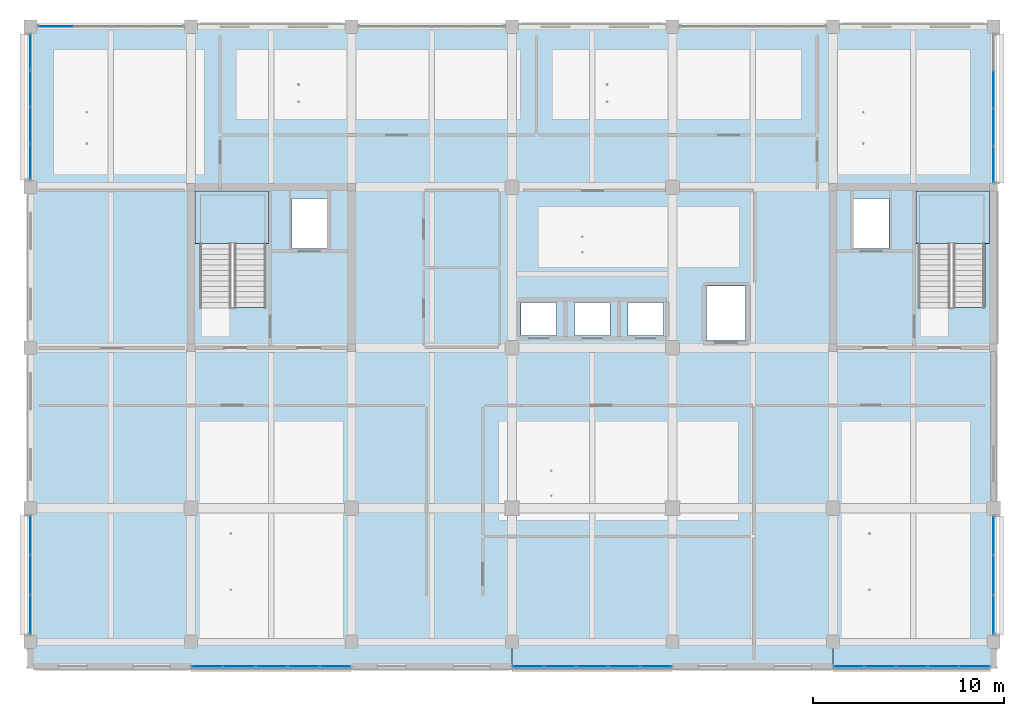
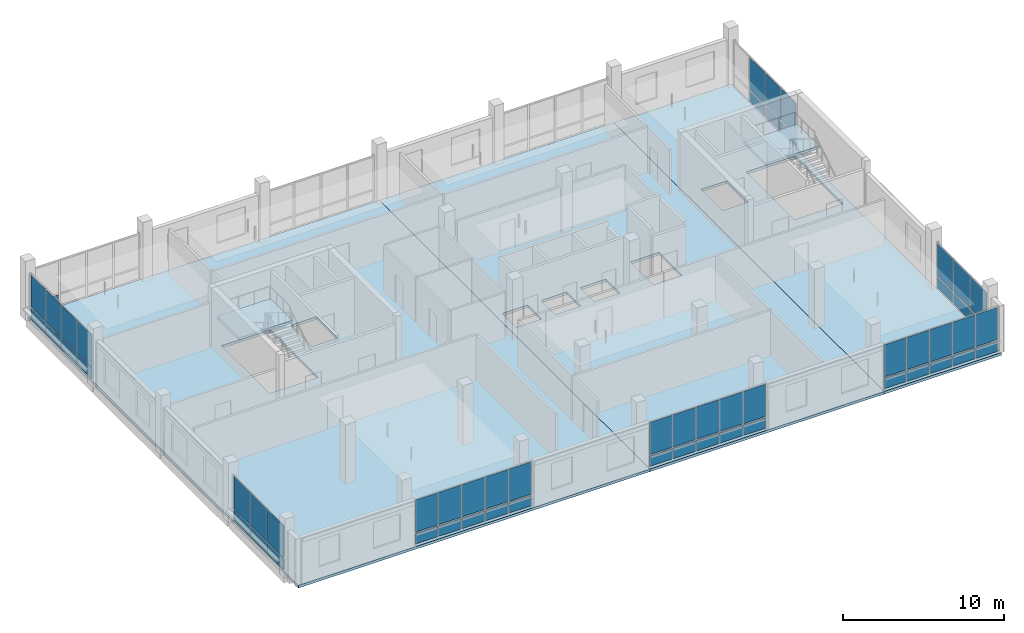
# One storey, part 10 of 35: 57 plates, 5 slabs, 10 elements without a shape of their own.
"""IFC4 building model written with IfcOpenShell, lengths in metres."""

import ifcopenshell
import ifcopenshell.guid

model = None  # the IFC model being written
_history = None  # IfcOwnerHistory: only IFC2X3 demands one
_inside = {}  # id of a spatial element -> (the spatial element, [elements in it])
_under = {}  # id of a project, library or spatial element -> (it, [spatial elements below it])
_declared = {}  # id of a project -> (the project, [libraries it declares])
_typed = {}  # id of a type object -> (the type object, [elements of that type])
_made_of = {}  # id of a material, layer set ... -> (it, [elements and type objects made of it])


def new_model(schema):
    """Start an empty IFC model of exactly this schema.

    Asked for "IFC4X3", IfcOpenShell would pick the latest addendum, in which some entities
    have other attributes; the version numbers below select the first issue.
    IFC2X3 requires an IfcOwnerHistory on every rooted entity: one is made here for all.
    """
    global model, _history
    if schema == "IFC4X3":
        model = ifcopenshell.file(schema_version=(4, 3, 0, 0))
    else:
        model = ifcopenshell.file(schema=schema)
    _inside.clear()
    _under.clear()
    _declared.clear()
    _typed.clear()
    _made_of.clear()
    _history = None
    if model.schema == "IFC2X3":
        org = make("IfcOrganization", Name="unknown")
        user = make(
            "IfcPersonAndOrganization",
            ThePerson=make("IfcPerson", FamilyName="unknown"),
            TheOrganization=org,
        )
        app = make(
            "IfcApplication",
            ApplicationDeveloper=org,
            Version="unknown",
            ApplicationFullName="unknown",
            ApplicationIdentifier="unknown",
        )
        _history = make(
            "IfcOwnerHistory",
            OwningUser=user,
            OwningApplication=app,
            ChangeAction="ADDED",
            CreationDate=0,
        )
    return model


def make(cls, **values):
    """One entity of the class cls with the attributes given. An attribute that is None is left unset."""
    return model.create_entity(
        cls, **{name: value for name, value in values.items() if value is not None}
    )


def rooted(cls, **values):
    """An entity with a GlobalId (a new one), such as an element, a storey or a relation."""
    return make(cls, GlobalId=ifcopenshell.guid.new(), OwnerHistory=_history, **values)


def si_unit(unit_type, name, prefix=None):
    """IfcSIUnit, for example si_unit("LENGTHUNIT", "METRE", prefix="MILLI")."""
    return make("IfcSIUnit", UnitType=unit_type, Prefix=prefix, Name=name)


def assignment(units):
    """IfcUnitAssignment: the units of a project."""
    return None if units is None else make("IfcUnitAssignment", Units=units)


def point(xyz):
    """IfcCartesianPoint."""
    return None if xyz is None else make("IfcCartesianPoint", Coordinates=xyz)


def direction(xyz):
    """IfcDirection."""
    return None if xyz is None else make("IfcDirection", DirectionRatios=xyz)


def frame(location, z_axis=None, x_axis=None):
    """IfcAxis2Placement3D, a coordinate frame: its origin and axes. An axis left out is left unset."""
    return make(
        "IfcAxis2Placement3D",
        Location=point(location),
        Axis=direction(z_axis),
        RefDirection=direction(x_axis),
    )


def frame_2d(location, x_axis=None):
    """IfcAxis2Placement2D, a coordinate frame in the plane: its origin and x axis."""
    return make(
        "IfcAxis2Placement2D", Location=point(location), RefDirection=direction(x_axis)
    )


def origin():
    """The frame at (0, 0, 0) with its axes left unset."""
    return frame((0.0, 0.0, 0.0))


def origin_2d():
    """The frame at (0, 0) in the plane with its x axis left unset."""
    return frame_2d((0.0, 0.0))


def place(relative_to, where):
    """IfcLocalPlacement: puts the frame where relative to a parent placement (None: the world)."""
    return make(
        "IfcLocalPlacement", PlacementRelTo=relative_to, RelativePlacement=where
    )


def context(
    kind, dimensions, precision=None, world=None, true_north=None, identifier=None
):
    """IfcGeometricRepresentationContext, for example the 3D "Model" context."""
    return make(
        "IfcGeometricRepresentationContext",
        ContextIdentifier=identifier,
        ContextType=kind,
        CoordinateSpaceDimension=dimensions,
        Precision=precision,
        WorldCoordinateSystem=world,
        TrueNorth=true_north,
    )


def subcontext(parent, identifier, kind, view, scale=None):
    """IfcGeometricRepresentationSubContext, for example "Body" below "Model"."""
    return make(
        "IfcGeometricRepresentationSubContext",
        ContextIdentifier=identifier,
        ContextType=kind,
        ParentContext=parent,
        TargetScale=scale,
        TargetView=view,
    )


def project(units=None, contexts=None):
    """IfcProject with its units and contexts."""
    return rooted(
        "IfcProject",
        Name="project",
        RepresentationContexts=contexts,
        UnitsInContext=assignment(units),
    )


def spatial(cls, under=None, at=None, **own):
    """A site, building, storey or space (cls), placed at a placement, below another one or the project."""
    s = rooted(cls, ObjectPlacement=at, **own)
    if under is not None:
        _under.setdefault(under.id(), (under, []))[1].append(s)
    return s


def polyline(points):
    """IfcPolyline through the points."""
    return make("IfcPolyline", Points=[point(p) for p in points])


def profile(cls, at=None, kind="AREA", **sizes):
    """A parametric profile (cls). Its sizes go by their IFC names, for example OverallWidth=200.0."""
    return make(cls, ProfileType=kind, Position=at, **sizes)


def rectangle(**sizes):
    """IfcRectangleProfileDef."""
    return profile("IfcRectangleProfileDef", **sizes)


def outline(outer, holes=None, kind="AREA"):
    """IfcArbitraryClosedProfileDef: a profile drawn as a closed curve; with holes, ...WithVoids."""
    if holes is None:
        return make("IfcArbitraryClosedProfileDef", ProfileType=kind, OuterCurve=outer)
    return make(
        "IfcArbitraryProfileDefWithVoids",
        ProfileType=kind,
        OuterCurve=outer,
        InnerCurves=holes,
    )


def extrude(swept, where, along, depth):
    """IfcExtrudedAreaSolid: the profile swept, set in the frame where, extruded along a direction by depth."""
    return make(
        "IfcExtrudedAreaSolid",
        SweptArea=swept,
        Position=where,
        ExtrudedDirection=direction(along),
        Depth=depth,
    )


def shape(context_of_items, identifier, shape_type, items):
    """IfcShapeRepresentation: the items that make up one representation, for example the "Body"."""
    return make(
        "IfcShapeRepresentation",
        ContextOfItems=context_of_items,
        RepresentationIdentifier=identifier,
        RepresentationType=shape_type,
        Items=items,
    )


def material(Name=None, Category=None):
    """IfcMaterial."""
    return make("IfcMaterial", Name=Name, Category=Category)


def layer(
    of_material, thickness, ventilated=None, Name=None, Category=None, Priority=None
):
    """IfcMaterialLayer: one layer of a wall or slab, of a material (None: an air gap)."""
    return make(
        "IfcMaterialLayer",
        Material=of_material,
        LayerThickness=thickness,
        IsVentilated=ventilated,
        Name=Name,
        Category=Category,
        Priority=Priority,
    )


def layer_set(layers, Name=None):
    """IfcMaterialLayerSet."""
    return make("IfcMaterialLayerSet", MaterialLayers=layers, LayerSetName=Name)


def made_of(thing, what):
    """Note that an element or type object is made of a material, layer set ...; save() writes the relation."""
    if what is not None:
        _made_of.setdefault(what.id(), (what, []))[1].append(thing)
    return thing


def type_object(cls, material=None, **own):
    """A type object (cls), such as IfcWallType, which elements share."""
    return made_of(rooted(cls, **own), material)


def element(
    cls,
    number,
    at=None,
    inside=None,
    cuts=None,
    type_object=None,
    material=None,
    context=None,
    identifier="Body",
    shape_type=None,
    held_by="IfcProductDefinitionShape",
    body=None,
    shapes=None,
    **own,
):
    """One element of the class cls, such as IfcWall. Its Tag is "e" and its number.

    at: its placement. inside: the storey or other place that contains it. cuts: it is an
    opening in that element (IfcRelVoidsElement). A single representation is given by context,
    identifier, shape_type and body (its items); several are given by shapes. held_by: the class
    of the entity that holds the representations. save() writes the other relations.
    """
    e = rooted(cls, Tag="e%d" % number, ObjectPlacement=at, **own)
    if body is not None:
        shapes = [shape(context, identifier, shape_type, body)]
    if shapes is not None:
        e.Representation = make(held_by, Representations=shapes)
    if inside is not None:
        _inside.setdefault(inside.id(), (inside, []))[1].append(e)
    if cuts is not None:
        rooted(
            "IfcRelVoidsElement", RelatingBuildingElement=cuts, RelatedOpeningElement=e
        )
    if type_object is not None:
        _typed.setdefault(type_object.id(), (type_object, []))[1].append(e)
    return made_of(e, material)


def aggregate(whole, parts):
    """IfcRelAggregates: a whole, such as a stair, and the parts it consists of."""
    return rooted("IfcRelAggregates", RelatingObject=whole, RelatedObjects=parts)


def save(model, path):
    """Write the relations noted so far, then the file.

    IfcRelAggregates (storeys below a building ...), IfcRelContainedInSpatialStructure (elements
    in a storey), IfcRelDefinesByType, IfcRelAssociatesMaterial and IfcRelDeclares: one each for
    every whole, place, type object, material and project.
    """
    for whole, parts in _under.values():
        aggregate(whole, parts)
    for where, things in _inside.values():
        rooted(
            "IfcRelContainedInSpatialStructure",
            RelatedElements=things,
            RelatingStructure=where,
        )
    for kind, things in _typed.values():
        rooted("IfcRelDefinesByType", RelatedObjects=things, RelatingType=kind)
    for what, things in _made_of.values():
        rooted("IfcRelAssociatesMaterial", RelatedObjects=things, RelatingMaterial=what)
    for by, libraries in _declared.values():
        rooted("IfcRelDeclares", RelatingContext=by, RelatedDefinitions=libraries)
    model.write(path)


model = new_model("IFC4")

# Units and contexts
model_context = context("Model", 3, precision=1e-05, world=origin(), true_north=direction((0.0, 1.0)))
body_context = subcontext(model_context, "Body", "Model", "MODEL_VIEW")
ifc_project = project(units=[si_unit("LENGTHUNIT", "METRE"), si_unit("AREAUNIT", "SQUARE_METRE"), si_unit("VOLUMEUNIT", "CUBIC_METRE"), si_unit("PLANEANGLEUNIT", "RADIAN"), si_unit("MASSUNIT", "GRAM", prefix="KILO")], contexts=[model_context])

# Site, building, storey
site_placement = place(None, origin())
site = spatial("IfcSite", under=ifc_project, at=site_placement, CompositionType="ELEMENT")
building_placement = place(site_placement, origin())
building = spatial("IfcBuilding", under=site, at=building_placement, Name="Telukmera Botanical Conservatory", CompositionType="ELEMENT")
storey_placement = place(building_placement, frame((0.0, 0.0, 46.5)))
storey = spatial("IfcBuildingStorey", under=building, at=storey_placement, Name="L10", CompositionType="ELEMENT", Elevation=46.5)

# Stair, slab
ifc_material_1 = material(Name="Concrete C40/50", Category="concrete")
stair_type = type_object("IfcStairType", Name="ST-ESC-4500", PredefinedType="HALF_TURN_STAIR", material=ifc_material_1)
stair_1_placement = place(storey_placement, origin())
stair_1 = element("IfcStair", 1, at=stair_1_placement, inside=storey, type_object=stair_type, Name="L10 Protected Escape Stair ST1", PredefinedType="HALF_TURN_STAIR")
ifc_layer_1 = layer(ifc_material_1, 0.199951171875)
ifc_layer_set_1 = layer_set([ifc_layer_1], Name="Concrete C40/50")
slab_type_1 = type_object("IfcSlabType", Name="SL-LAND-200", PredefinedType="LANDING", material=ifc_layer_set_1)
slab_1_placement = place(storey_placement, frame((0.0, 0.0, 2.050048828125)))
slab_1 = element("IfcSlab", 2, at=slab_1_placement, type_object=slab_type_1, Name="ST1 landing 1", PredefinedType="LANDING", context=body_context, shape_type="SweptSolid", body=[
    extrude(outline(polyline([(59.0048828125, 31.449951171875), (62.844970703125, 31.449951171875), (62.844970703125, 34.195068359375), (59.0048828125, 34.195068359375), (59.0048828125, 31.449951171875)])), origin(), (0.0, 0.0, 1.0), 0.199951171875),
])
aggregate(stair_1, [slab_1])

stair_2_placement = place(storey_placement, origin())
stair_2 = element("IfcStair", 3, at=stair_2_placement, inside=storey, type_object=stair_type, Name="L10 Protected Escape Stair ST2", PredefinedType="HALF_TURN_STAIR")
slab_2_placement = place(storey_placement, frame((0.0, 0.0, 2.050048828125)))
slab_2 = element("IfcSlab", 4, at=slab_2_placement, type_object=slab_type_1, Name="ST2 landing 1", PredefinedType="LANDING", context=body_context, shape_type="SweptSolid", body=[
    extrude(outline(polyline([(96.7548828125, 31.449951171875), (100.594970703125, 31.449951171875), (100.594970703125, 34.195068359375), (96.7548828125, 34.195068359375), (96.7548828125, 31.449951171875)])), origin(), (0.0, 0.0, 1.0), 0.199951171875),
])
aggregate(stair_2, [slab_2])

# Slabs
ifc_layer_2 = layer(ifc_material_1, 0.199951171875)
ifc_layer_set_2 = layer_set([ifc_layer_2], Name="Concrete C40/50")
slab_type_2 = type_object("IfcSlabType", Name="Slab_FS20", PredefinedType="FLOOR", material=ifc_layer_set_2)
slab_3_placement = place(storey_placement, frame((0.0, 0.0, -0.199951171875)))
element("IfcSlab", 5, at=slab_3_placement, inside=storey, type_object=slab_type_2, Name="Tower Floor Slab L10 (WEST)", PredefinedType="FLOOR", context=body_context, shape_type="SweptSolid", body=[
    extrude(outline(polyline([(50.39990234375, 9.199951171875), (75.60009765625, 9.199951171875), (75.60009765625, 42.800048828125), (50.39990234375, 42.800048828125), (50.39990234375, 9.199951171875)]), holes=[polyline([(62.72998046875, 28.093017578125), (62.72998046875, 34.050048828125), (59.25, 34.050048828125), (59.25, 28.093017578125), (62.72998046875, 28.093017578125)]), polyline([(64.080078125, 31.179931640625), (65.919921875, 31.179931640625), (65.919921875, 33.820068359375), (64.080078125, 33.820068359375), (64.080078125, 31.179931640625)])]), origin(), (0.0, 0.0, 1.0), 0.199951171875),
])
slab_4_placement = place(storey_placement, frame((0.0, 0.0, -0.199951171875)))
element("IfcSlab", 6, at=slab_4_placement, inside=storey, type_object=slab_type_2, Name="Tower Floor Slab L10 (CENT)", PredefinedType="FLOOR", context=body_context, shape_type="SweptSolid", body=[
    extrude(outline(polyline([(75.60009765625, 9.199951171875), (92.39990234375, 9.199951171875), (92.39990234375, 42.800048828125), (75.60009765625, 42.800048828125), (75.60009765625, 9.199951171875)]), holes=[polyline([(85.780029296875, 26.3798828125), (87.820068359375, 26.3798828125), (87.820068359375, 29.219970703125), (85.780029296875, 29.219970703125), (85.780029296875, 26.3798828125)]), polyline([(76.080078125, 26.6298828125), (77.919921875, 26.6298828125), (77.919921875, 28.3701171875), (76.080078125, 28.3701171875), (76.080078125, 26.6298828125)]), polyline([(78.8798828125, 26.6298828125), (80.719970703125, 26.6298828125), (80.719970703125, 28.3701171875), (78.8798828125, 28.3701171875), (78.8798828125, 26.6298828125)]), polyline([(81.679931640625, 26.6298828125), (83.52001953125, 26.6298828125), (83.52001953125, 28.3701171875), (81.679931640625, 28.3701171875), (81.679931640625, 26.6298828125)])]), origin(), (0.0, 0.0, 1.0), 0.199951171875),
])
slab_5_placement = place(storey_placement, frame((0.0, 0.0, -0.199951171875)))
element("IfcSlab", 7, at=slab_5_placement, inside=storey, type_object=slab_type_2, Name="Tower Floor Slab L10 (EAST)", PredefinedType="FLOOR", context=body_context, shape_type="SweptSolid", body=[
    extrude(outline(polyline([(92.39990234375, 9.199951171875), (100.800048828125, 9.199951171875), (100.800048828125, 42.800048828125), (92.39990234375, 42.800048828125), (92.39990234375, 9.199951171875)]), holes=[polyline([(100.35009765625, 28.093017578125), (100.35009765625, 34.050048828125), (96.8701171875, 34.050048828125), (96.8701171875, 28.093017578125), (100.35009765625, 28.093017578125)]), polyline([(93.47998046875, 31.179931640625), (95.320068359375, 31.179931640625), (95.320068359375, 33.820068359375), (93.47998046875, 33.820068359375), (93.47998046875, 31.179931640625)])]), origin(), (0.0, 0.0, 1.0), 0.199951171875),
])

# Curtain wall, plates
ifc_material_2 = material(Name="Anodised aluminium 6063-T6", Category="aluminium")
ifc_layer_3 = layer(ifc_material_2, 0.179931640625)
ifc_layer_set_3 = layer_set([ifc_layer_3], Name="Anodised aluminium 6063-T6")
curtain_wall_type = type_object("IfcCurtainWallType", Name="Tower Research Laboratory Unitised Curtain Wall", PredefinedType="USERDEFINED", material=ifc_layer_set_3)
curtain_wall_1_placement = place(storey_placement, origin())
curtain_wall_1 = element("IfcCurtainWall", 8, at=curtain_wall_1_placement, inside=storey, type_object=curtain_wall_type, Name="Unitised Curtain Wall CW15 V4:L10:S2", ObjectType="UNITISED CURTAIN WALL", PredefinedType="USERDEFINED")
ifc_material_3 = material(Name="Spectrally selective low-E double glazing", Category="glass")
ifc_layer_4 = layer(ifc_material_3, 0.028076171875)
ifc_layer_set_4 = layer_set([ifc_layer_4], Name="Spectrally selective low-E double glazing")
plate_type = type_object("IfcPlateType", Name="Spectrally Selective Vision Double Glazing Panel 28", PredefinedType="CURTAIN_PANEL", material=ifc_layer_set_4)
plate_1_placement = place(storey_placement, frame((59.656494140625, 9.320068359375, 0.10986328125), z_axis=(0.0, 0.0, 1.0), x_axis=(1.0, 0.0, 0.0)))
plate_1 = element("IfcPlate", 9, at=plate_1_placement, type_object=plate_type, Name="CW15 panel 1.1", PredefinedType="CURTAIN_PANEL", context=body_context, shape_type="SweptSolid", body=[
    extrude(rectangle(XDim=1.589111328125, YDim=0.028076171875, at=origin_2d()), origin(), (0.0, 0.0, 1.0), 0.784912109375),
])
plate_2_placement = place(storey_placement, frame((59.656494140625, 9.320068359375, 1.0048828125), z_axis=(0.0, 0.0, 1.0), x_axis=(1.0, 0.0, 0.0)))
plate_2 = element("IfcPlate", 10, at=plate_2_placement, type_object=plate_type, Name="CW15 panel 1.2", PredefinedType="CURTAIN_PANEL", context=body_context, shape_type="SweptSolid", body=[
    extrude(rectangle(XDim=1.589111328125, YDim=0.028076171875, at=origin_2d()), origin(), (0.0, 0.0, 1.0), 2.43505859375),
])
plate_3_placement = place(storey_placement, frame((61.32080078125, 9.320068359375, 0.10986328125), z_axis=(0.0, 0.0, 1.0), x_axis=(1.0, 0.0, 0.0)))
plate_3 = element("IfcPlate", 11, at=plate_3_placement, type_object=plate_type, Name="CW15 panel 2.1", PredefinedType="CURTAIN_PANEL", context=body_context, shape_type="SweptSolid", body=[
    extrude(rectangle(XDim=1.619140625, YDim=0.028076171875, at=origin_2d()), origin(), (0.0, 0.0, 1.0), 0.784912109375),
])
plate_4_placement = place(storey_placement, frame((61.32080078125, 9.320068359375, 1.0048828125), z_axis=(0.0, 0.0, 1.0), x_axis=(1.0, 0.0, 0.0)))
plate_4 = element("IfcPlate", 12, at=plate_4_placement, type_object=plate_type, Name="CW15 panel 2.2", PredefinedType="CURTAIN_PANEL", context=body_context, shape_type="SweptSolid", body=[
    extrude(rectangle(XDim=1.619140625, YDim=0.028076171875, at=origin_2d()), origin(), (0.0, 0.0, 1.0), 2.43505859375),
])
plate_5_placement = place(storey_placement, frame((63.0, 9.320068359375, 0.10986328125), z_axis=(0.0, 0.0, 1.0), x_axis=(1.0, 0.0, 0.0)))
plate_5 = element("IfcPlate", 13, at=plate_5_placement, type_object=plate_type, Name="CW15 panel 3.1", PredefinedType="CURTAIN_PANEL", context=body_context, shape_type="SweptSolid", body=[
    extrude(rectangle(XDim=1.619140625, YDim=0.028076171875, at=origin_2d()), origin(), (0.0, 0.0, 1.0), 0.784912109375),
])
plate_6_placement = place(storey_placement, frame((63.0, 9.320068359375, 1.0048828125), z_axis=(0.0, 0.0, 1.0), x_axis=(1.0, 0.0, 0.0)))
plate_6 = element("IfcPlate", 14, at=plate_6_placement, type_object=plate_type, Name="CW15 panel 3.2", PredefinedType="CURTAIN_PANEL", context=body_context, shape_type="SweptSolid", body=[
    extrude(rectangle(XDim=1.619140625, YDim=0.028076171875, at=origin_2d()), origin(), (0.0, 0.0, 1.0), 2.43505859375),
])
plate_7_placement = place(storey_placement, frame((64.67919921875, 9.320068359375, 0.10986328125), z_axis=(0.0, 0.0, 1.0), x_axis=(1.0, 0.0, 0.0)))
plate_7 = element("IfcPlate", 15, at=plate_7_placement, type_object=plate_type, Name="CW15 panel 4.1", PredefinedType="CURTAIN_PANEL", context=body_context, shape_type="SweptSolid", body=[
    extrude(rectangle(XDim=1.619140625, YDim=0.028076171875, at=origin_2d()), origin(), (0.0, 0.0, 1.0), 0.784912109375),
])
plate_8_placement = place(storey_placement, frame((64.67919921875, 9.320068359375, 1.0048828125), z_axis=(0.0, 0.0, 1.0), x_axis=(1.0, 0.0, 0.0)))
plate_8 = element("IfcPlate", 16, at=plate_8_placement, type_object=plate_type, Name="CW15 panel 4.2", PredefinedType="CURTAIN_PANEL", context=body_context, shape_type="SweptSolid", body=[
    extrude(rectangle(XDim=1.619140625, YDim=0.028076171875, at=origin_2d()), origin(), (0.0, 0.0, 1.0), 2.43505859375),
])
plate_9_placement = place(storey_placement, frame((66.343505859375, 9.320068359375, 0.10986328125), z_axis=(0.0, 0.0, 1.0), x_axis=(1.0, 0.0, 0.0)))
plate_9 = element("IfcPlate", 17, at=plate_9_placement, type_object=plate_type, Name="CW15 panel 5.1", PredefinedType="CURTAIN_PANEL", context=body_context, shape_type="SweptSolid", body=[
    extrude(rectangle(XDim=1.589111328125, YDim=0.028076171875, at=origin_2d()), origin(), (0.0, 0.0, 1.0), 0.784912109375),
])
plate_10_placement = place(storey_placement, frame((66.343505859375, 9.320068359375, 1.0048828125), z_axis=(0.0, 0.0, 1.0), x_axis=(1.0, 0.0, 0.0)))
plate_10 = element("IfcPlate", 18, at=plate_10_placement, type_object=plate_type, Name="CW15 panel 5.2", PredefinedType="CURTAIN_PANEL", context=body_context, shape_type="SweptSolid", body=[
    extrude(rectangle(XDim=1.589111328125, YDim=0.028076171875, at=origin_2d()), origin(), (0.0, 0.0, 1.0), 2.43505859375),
])
aggregate(curtain_wall_1, [plate_1, plate_2, plate_3, plate_4, plate_5, plate_6, plate_7, plate_8, plate_9, plate_10])

curtain_wall_2_placement = place(storey_placement, origin())
curtain_wall_2 = element("IfcCurtainWall", 19, at=curtain_wall_2_placement, inside=storey, type_object=curtain_wall_type, Name="Unitised Curtain Wall CW15 V4:L10:S4", ObjectType="UNITISED CURTAIN WALL", PredefinedType="USERDEFINED")
plate_11_placement = place(storey_placement, frame((76.45654296875, 9.320068359375, 0.10986328125), z_axis=(0.0, 0.0, 1.0), x_axis=(1.0, 0.0, 0.0)))
plate_11 = element("IfcPlate", 20, at=plate_11_placement, type_object=plate_type, Name="CW15 panel 1.1", PredefinedType="CURTAIN_PANEL", context=body_context, shape_type="SweptSolid", body=[
    extrude(rectangle(XDim=1.589111328125, YDim=0.028076171875, at=origin_2d()), origin(), (0.0, 0.0, 1.0), 0.784912109375),
])
plate_12_placement = place(storey_placement, frame((76.45654296875, 9.320068359375, 1.0048828125), z_axis=(0.0, 0.0, 1.0), x_axis=(1.0, 0.0, 0.0)))
plate_12 = element("IfcPlate", 21, at=plate_12_placement, type_object=plate_type, Name="CW15 panel 1.2", PredefinedType="CURTAIN_PANEL", context=body_context, shape_type="SweptSolid", body=[
    extrude(rectangle(XDim=1.589111328125, YDim=0.028076171875, at=origin_2d()), origin(), (0.0, 0.0, 1.0), 2.43505859375),
])
plate_13_placement = place(storey_placement, frame((78.120849609375, 9.320068359375, 0.10986328125), z_axis=(0.0, 0.0, 1.0), x_axis=(1.0, 0.0, 0.0)))
plate_13 = element("IfcPlate", 22, at=plate_13_placement, type_object=plate_type, Name="CW15 panel 2.1", PredefinedType="CURTAIN_PANEL", context=body_context, shape_type="SweptSolid", body=[
    extrude(rectangle(XDim=1.619140625, YDim=0.028076171875, at=origin_2d()), origin(), (0.0, 0.0, 1.0), 0.784912109375),
])
plate_14_placement = place(storey_placement, frame((78.120849609375, 9.320068359375, 1.0048828125), z_axis=(0.0, 0.0, 1.0), x_axis=(1.0, 0.0, 0.0)))
plate_14 = element("IfcPlate", 23, at=plate_14_placement, type_object=plate_type, Name="CW15 panel 2.2", PredefinedType="CURTAIN_PANEL", context=body_context, shape_type="SweptSolid", body=[
    extrude(rectangle(XDim=1.619140625, YDim=0.028076171875, at=origin_2d()), origin(), (0.0, 0.0, 1.0), 2.43505859375),
])
plate_15_placement = place(storey_placement, frame((79.800048828125, 9.320068359375, 0.10986328125), z_axis=(0.0, 0.0, 1.0), x_axis=(1.0, 0.0, 0.0)))
plate_15 = element("IfcPlate", 24, at=plate_15_placement, type_object=plate_type, Name="CW15 panel 3.1", PredefinedType="CURTAIN_PANEL", context=body_context, shape_type="SweptSolid", body=[
    extrude(rectangle(XDim=1.619140625, YDim=0.028076171875, at=origin_2d()), origin(), (0.0, 0.0, 1.0), 0.784912109375),
])
plate_16_placement = place(storey_placement, frame((79.800048828125, 9.320068359375, 1.0048828125), z_axis=(0.0, 0.0, 1.0), x_axis=(1.0, 0.0, 0.0)))
plate_16 = element("IfcPlate", 25, at=plate_16_placement, type_object=plate_type, Name="CW15 panel 3.2", PredefinedType="CURTAIN_PANEL", context=body_context, shape_type="SweptSolid", body=[
    extrude(rectangle(XDim=1.619140625, YDim=0.028076171875, at=origin_2d()), origin(), (0.0, 0.0, 1.0), 2.43505859375),
])
plate_17_placement = place(storey_placement, frame((81.479248046875, 9.320068359375, 0.10986328125), z_axis=(0.0, 0.0, 1.0), x_axis=(1.0, 0.0, 0.0)))
plate_17 = element("IfcPlate", 26, at=plate_17_placement, type_object=plate_type, Name="CW15 panel 4.1", PredefinedType="CURTAIN_PANEL", context=body_context, shape_type="SweptSolid", body=[
    extrude(rectangle(XDim=1.619140625, YDim=0.028076171875, at=origin_2d()), origin(), (0.0, 0.0, 1.0), 0.784912109375),
])
plate_18_placement = place(storey_placement, frame((81.479248046875, 9.320068359375, 1.0048828125), z_axis=(0.0, 0.0, 1.0), x_axis=(1.0, 0.0, 0.0)))
plate_18 = element("IfcPlate", 27, at=plate_18_placement, type_object=plate_type, Name="CW15 panel 4.2", PredefinedType="CURTAIN_PANEL", context=body_context, shape_type="SweptSolid", body=[
    extrude(rectangle(XDim=1.619140625, YDim=0.028076171875, at=origin_2d()), origin(), (0.0, 0.0, 1.0), 2.43505859375),
])
plate_19_placement = place(storey_placement, frame((83.143310546875, 9.320068359375, 0.10986328125), z_axis=(0.0, 0.0, 1.0), x_axis=(1.0, 0.0, 0.0)))
plate_19 = element("IfcPlate", 28, at=plate_19_placement, type_object=plate_type, Name="CW15 panel 5.1", PredefinedType="CURTAIN_PANEL", context=body_context, shape_type="SweptSolid", body=[
    extrude(rectangle(XDim=1.589111328125, YDim=0.028076171875, at=origin_2d()), origin(), (0.0, 0.0, 1.0), 0.784912109375),
])
plate_20_placement = place(storey_placement, frame((83.143310546875, 9.320068359375, 1.0048828125), z_axis=(0.0, 0.0, 1.0), x_axis=(1.0, 0.0, 0.0)))
plate_20 = element("IfcPlate", 29, at=plate_20_placement, type_object=plate_type, Name="CW15 panel 5.2", PredefinedType="CURTAIN_PANEL", context=body_context, shape_type="SweptSolid", body=[
    extrude(rectangle(XDim=1.589111328125, YDim=0.028076171875, at=origin_2d()), origin(), (0.0, 0.0, 1.0), 2.43505859375),
])
aggregate(curtain_wall_2, [plate_11, plate_12, plate_13, plate_14, plate_15, plate_16, plate_17, plate_18, plate_19, plate_20])

curtain_wall_3_placement = place(storey_placement, origin())
curtain_wall_3 = element("IfcCurtainWall", 30, at=curtain_wall_3_placement, inside=storey, type_object=curtain_wall_type, Name="Unitised Curtain Wall CW15 V4:L10:S6", ObjectType="UNITISED CURTAIN WALL", PredefinedType="USERDEFINED")
plate_21_placement = place(storey_placement, frame((93.24169921875, 9.320068359375, 0.10986328125), z_axis=(0.0, 0.0, 1.0), x_axis=(1.0, 0.0, 0.0)))
plate_21 = element("IfcPlate", 31, at=plate_21_placement, type_object=plate_type, Name="CW15 panel 1.1", PredefinedType="CURTAIN_PANEL", context=body_context, shape_type="SweptSolid", body=[
    extrude(rectangle(XDim=1.55908203125, YDim=0.028076171875, at=origin_2d()), origin(), (0.0, 0.0, 1.0), 0.784912109375),
])
plate_22_placement = place(storey_placement, frame((93.24169921875, 9.320068359375, 1.0048828125), z_axis=(0.0, 0.0, 1.0), x_axis=(1.0, 0.0, 0.0)))
plate_22 = element("IfcPlate", 32, at=plate_22_placement, type_object=plate_type, Name="CW15 panel 1.2", PredefinedType="CURTAIN_PANEL", context=body_context, shape_type="SweptSolid", body=[
    extrude(rectangle(XDim=1.55908203125, YDim=0.028076171875, at=origin_2d()), origin(), (0.0, 0.0, 1.0), 2.43505859375),
])
plate_23_placement = place(storey_placement, frame((94.875732421875, 9.320068359375, 0.10986328125), z_axis=(0.0, 0.0, 1.0), x_axis=(1.0, 0.0, 0.0)))
plate_23 = element("IfcPlate", 33, at=plate_23_placement, type_object=plate_type, Name="CW15 panel 2.1", PredefinedType="CURTAIN_PANEL", context=body_context, shape_type="SweptSolid", body=[
    extrude(rectangle(XDim=1.589111328125, YDim=0.028076171875, at=origin_2d()), origin(), (0.0, 0.0, 1.0), 0.784912109375),
])
plate_24_placement = place(storey_placement, frame((94.875732421875, 9.320068359375, 1.0048828125), z_axis=(0.0, 0.0, 1.0), x_axis=(1.0, 0.0, 0.0)))
plate_24 = element("IfcPlate", 34, at=plate_24_placement, type_object=plate_type, Name="CW15 panel 2.2", PredefinedType="CURTAIN_PANEL", context=body_context, shape_type="SweptSolid", body=[
    extrude(rectangle(XDim=1.589111328125, YDim=0.028076171875, at=origin_2d()), origin(), (0.0, 0.0, 1.0), 2.43505859375),
])
plate_25_placement = place(storey_placement, frame((96.52490234375, 9.320068359375, 0.10986328125), z_axis=(0.0, 0.0, 1.0), x_axis=(1.0, 0.0, 0.0)))
plate_25 = element("IfcPlate", 35, at=plate_25_placement, type_object=plate_type, Name="CW15 panel 3.1", PredefinedType="CURTAIN_PANEL", context=body_context, shape_type="SweptSolid", body=[
    extrude(rectangle(XDim=1.589111328125, YDim=0.028076171875, at=origin_2d()), origin(), (0.0, 0.0, 1.0), 0.784912109375),
])
plate_26_placement = place(storey_placement, frame((96.52490234375, 9.320068359375, 1.0048828125), z_axis=(0.0, 0.0, 1.0), x_axis=(1.0, 0.0, 0.0)))
plate_26 = element("IfcPlate", 36, at=plate_26_placement, type_object=plate_type, Name="CW15 panel 3.2", PredefinedType="CURTAIN_PANEL", context=body_context, shape_type="SweptSolid", body=[
    extrude(rectangle(XDim=1.589111328125, YDim=0.028076171875, at=origin_2d()), origin(), (0.0, 0.0, 1.0), 2.43505859375),
])
plate_27_placement = place(storey_placement, frame((98.17431640625, 9.320068359375, 0.10986328125), z_axis=(0.0, 0.0, 1.0), x_axis=(1.0, 0.0, 0.0)))
plate_27 = element("IfcPlate", 37, at=plate_27_placement, type_object=plate_type, Name="CW15 panel 4.1", PredefinedType="CURTAIN_PANEL", context=body_context, shape_type="SweptSolid", body=[
    extrude(rectangle(XDim=1.589111328125, YDim=0.028076171875, at=origin_2d()), origin(), (0.0, 0.0, 1.0), 0.784912109375),
])
plate_28_placement = place(storey_placement, frame((98.17431640625, 9.320068359375, 1.0048828125), z_axis=(0.0, 0.0, 1.0), x_axis=(1.0, 0.0, 0.0)))
plate_28 = element("IfcPlate", 38, at=plate_28_placement, type_object=plate_type, Name="CW15 panel 4.2", PredefinedType="CURTAIN_PANEL", context=body_context, shape_type="SweptSolid", body=[
    extrude(rectangle(XDim=1.589111328125, YDim=0.028076171875, at=origin_2d()), origin(), (0.0, 0.0, 1.0), 2.43505859375),
])
plate_29_placement = place(storey_placement, frame((99.808349609375, 9.320068359375, 0.10986328125), z_axis=(0.0, 0.0, 1.0), x_axis=(1.0, 0.0, 0.0)))
plate_29 = element("IfcPlate", 39, at=plate_29_placement, type_object=plate_type, Name="CW15 panel 5.1", PredefinedType="CURTAIN_PANEL", context=body_context, shape_type="SweptSolid", body=[
    extrude(rectangle(XDim=1.55908203125, YDim=0.028076171875, at=origin_2d()), origin(), (0.0, 0.0, 1.0), 0.784912109375),
])
plate_30_placement = place(storey_placement, frame((99.808349609375, 9.320068359375, 1.0048828125), z_axis=(0.0, 0.0, 1.0), x_axis=(1.0, 0.0, 0.0)))
plate_30 = element("IfcPlate", 40, at=plate_30_placement, type_object=plate_type, Name="CW15 panel 5.2", PredefinedType="CURTAIN_PANEL", context=body_context, shape_type="SweptSolid", body=[
    extrude(rectangle(XDim=1.55908203125, YDim=0.028076171875, at=origin_2d()), origin(), (0.0, 0.0, 1.0), 2.43505859375),
])
aggregate(curtain_wall_3, [plate_21, plate_22, plate_23, plate_24, plate_25, plate_26, plate_27, plate_28, plate_29, plate_30])

# Curtain wall, plate
curtain_wall_4_placement = place(storey_placement, origin())
curtain_wall_4 = element("IfcCurtainWall", 41, at=curtain_wall_4_placement, inside=storey, type_object=curtain_wall_type, Name="Unitised Curtain Wall CW15 V4:L10:N1", ObjectType="UNITISED CURTAIN WALL", PredefinedType="USERDEFINED")
plate_31_placement = place(storey_placement, frame((51.72900390625, 42.800048828125, 0.10986328125), z_axis=(0.0, 0.0, 1.0), x_axis=(1.0, 0.0, 0.0)))
plate_31 = element("IfcPlate", 42, at=plate_31_placement, type_object=plate_type, Name="CW15 panel 1.1", PredefinedType="CURTAIN_PANEL", context=body_context, shape_type="SweptSolid", body=[
    extrude(rectangle(XDim=1.833984375, YDim=0.028076171875, at=origin_2d()), origin(), (0.0, 0.0, 1.0), 0.784912109375),
])
aggregate(curtain_wall_4, [plate_31])

# Curtain wall, plates
curtain_wall_5_placement = place(storey_placement, origin())
curtain_wall_5 = element("IfcCurtainWall", 43, at=curtain_wall_5_placement, inside=storey, type_object=curtain_wall_type, Name="Unitised Curtain Wall CW15 V4:L10:W1", ObjectType="UNITISED CURTAIN WALL", PredefinedType="USERDEFINED")
plate_32_placement = place(storey_placement, frame((50.39990234375, 12.016357421875, 0.10986328125), z_axis=(0.0, 0.0, 1.0), x_axis=(0.0, 1.0, 0.0)))
plate_32 = element("IfcPlate", 44, at=plate_32_placement, type_object=plate_type, Name="CW15 panel 1.1", PredefinedType="CURTAIN_PANEL", context=body_context, shape_type="SweptSolid", body=[
    extrude(rectangle(XDim=2.008544921875, YDim=0.028076171875, at=origin_2d()), origin(), (0.0, 0.0, 1.0), 0.784912109375),
])
plate_33_placement = place(storey_placement, frame((50.39990234375, 12.016357421875, 1.0048828125), z_axis=(0.0, 0.0, 1.0), x_axis=(0.0, 1.0, 0.0)))
plate_33 = element("IfcPlate", 45, at=plate_33_placement, type_object=plate_type, Name="CW15 panel 1.2", PredefinedType="CURTAIN_PANEL", context=body_context, shape_type="SweptSolid", body=[
    extrude(rectangle(XDim=2.008544921875, YDim=0.028076171875, at=origin_2d()), origin(), (0.0, 0.0, 1.0), 2.43505859375),
])
plate_34_placement = place(storey_placement, frame((50.39990234375, 14.10009765625, 0.10986328125), z_axis=(0.0, 0.0, 1.0), x_axis=(0.0, 1.0, 0.0)))
plate_34 = element("IfcPlate", 46, at=plate_34_placement, type_object=plate_type, Name="CW15 panel 2.1", PredefinedType="CURTAIN_PANEL", context=body_context, shape_type="SweptSolid", body=[
    extrude(rectangle(XDim=2.03857421875, YDim=0.028076171875, at=origin_2d()), origin(), (0.0, 0.0, 1.0), 0.784912109375),
])
plate_35_placement = place(storey_placement, frame((50.39990234375, 14.10009765625, 1.0048828125), z_axis=(0.0, 0.0, 1.0), x_axis=(0.0, 1.0, 0.0)))
plate_35 = element("IfcPlate", 47, at=plate_35_placement, type_object=plate_type, Name="CW15 panel 2.2", PredefinedType="CURTAIN_PANEL", context=body_context, shape_type="SweptSolid", body=[
    extrude(rectangle(XDim=2.03857421875, YDim=0.028076171875, at=origin_2d()), origin(), (0.0, 0.0, 1.0), 2.43505859375),
])
plate_36_placement = place(storey_placement, frame((50.39990234375, 16.18359375, 0.10986328125), z_axis=(0.0, 0.0, 1.0), x_axis=(0.0, 1.0, 0.0)))
plate_36 = element("IfcPlate", 48, at=plate_36_placement, type_object=plate_type, Name="CW15 panel 3.1", PredefinedType="CURTAIN_PANEL", context=body_context, shape_type="SweptSolid", body=[
    extrude(rectangle(XDim=2.008544921875, YDim=0.028076171875, at=origin_2d()), origin(), (0.0, 0.0, 1.0), 0.784912109375),
])
plate_37_placement = place(storey_placement, frame((50.39990234375, 16.18359375, 1.0048828125), z_axis=(0.0, 0.0, 1.0), x_axis=(0.0, 1.0, 0.0)))
plate_37 = element("IfcPlate", 49, at=plate_37_placement, type_object=plate_type, Name="CW15 panel 3.2", PredefinedType="CURTAIN_PANEL", context=body_context, shape_type="SweptSolid", body=[
    extrude(rectangle(XDim=2.008544921875, YDim=0.028076171875, at=origin_2d()), origin(), (0.0, 0.0, 1.0), 2.43505859375),
])
aggregate(curtain_wall_5, [plate_32, plate_33, plate_34, plate_35, plate_36, plate_37])

curtain_wall_6_placement = place(storey_placement, origin())
curtain_wall_6 = element("IfcCurtainWall", 50, at=curtain_wall_6_placement, inside=storey, type_object=curtain_wall_type, Name="Unitised Curtain Wall CW15 V4:L10:E1", ObjectType="UNITISED CURTAIN WALL", PredefinedType="USERDEFINED")
plate_38_placement = place(storey_placement, frame((100.800048828125, 12.01220703125, 0.10986328125), z_axis=(0.0, 0.0, 1.0), x_axis=(0.0, 1.0, 0.0)))
plate_38 = element("IfcPlate", 51, at=plate_38_placement, type_object=plate_type, Name="CW15 panel 1.1", PredefinedType="CURTAIN_PANEL", context=body_context, shape_type="SweptSolid", body=[
    extrude(rectangle(XDim=2.000244140625, YDim=0.028076171875, at=origin_2d()), origin(), (0.0, 0.0, 1.0), 0.784912109375),
])
plate_39_placement = place(storey_placement, frame((100.800048828125, 12.01220703125, 1.0048828125), z_axis=(0.0, 0.0, 1.0), x_axis=(0.0, 1.0, 0.0)))
plate_39 = element("IfcPlate", 52, at=plate_39_placement, type_object=plate_type, Name="CW15 panel 1.2", PredefinedType="CURTAIN_PANEL", context=body_context, shape_type="SweptSolid", body=[
    extrude(rectangle(XDim=2.000244140625, YDim=0.028076171875, at=origin_2d()), origin(), (0.0, 0.0, 1.0), 2.43505859375),
])
plate_40_placement = place(storey_placement, frame((100.800048828125, 14.08740234375, 0.10986328125), z_axis=(0.0, 0.0, 1.0), x_axis=(0.0, 1.0, 0.0)))
plate_40 = element("IfcPlate", 53, at=plate_40_placement, type_object=plate_type, Name="CW15 panel 2.1", PredefinedType="CURTAIN_PANEL", context=body_context, shape_type="SweptSolid", body=[
    extrude(rectangle(XDim=2.0302734375, YDim=0.028076171875, at=origin_2d()), origin(), (0.0, 0.0, 1.0), 0.784912109375),
])
plate_41_placement = place(storey_placement, frame((100.800048828125, 14.08740234375, 1.0048828125), z_axis=(0.0, 0.0, 1.0), x_axis=(0.0, 1.0, 0.0)))
plate_41 = element("IfcPlate", 54, at=plate_41_placement, type_object=plate_type, Name="CW15 panel 2.2", PredefinedType="CURTAIN_PANEL", context=body_context, shape_type="SweptSolid", body=[
    extrude(rectangle(XDim=2.0302734375, YDim=0.028076171875, at=origin_2d()), origin(), (0.0, 0.0, 1.0), 2.43505859375),
])
plate_42_placement = place(storey_placement, frame((100.800048828125, 16.162841796875, 0.10986328125), z_axis=(0.0, 0.0, 1.0), x_axis=(0.0, 1.0, 0.0)))
plate_42 = element("IfcPlate", 55, at=plate_42_placement, type_object=plate_type, Name="CW15 panel 3.1", PredefinedType="CURTAIN_PANEL", context=body_context, shape_type="SweptSolid", body=[
    extrude(rectangle(XDim=2.000244140625, YDim=0.028076171875, at=origin_2d()), origin(), (0.0, 0.0, 1.0), 0.784912109375),
])
plate_43_placement = place(storey_placement, frame((100.800048828125, 16.162841796875, 1.0048828125), z_axis=(0.0, 0.0, 1.0), x_axis=(0.0, 1.0, 0.0)))
plate_43 = element("IfcPlate", 56, at=plate_43_placement, type_object=plate_type, Name="CW15 panel 3.2", PredefinedType="CURTAIN_PANEL", context=body_context, shape_type="SweptSolid", body=[
    extrude(rectangle(XDim=2.000244140625, YDim=0.028076171875, at=origin_2d()), origin(), (0.0, 0.0, 1.0), 2.43505859375),
])
aggregate(curtain_wall_6, [plate_38, plate_39, plate_40, plate_41, plate_42, plate_43])

curtain_wall_7_placement = place(storey_placement, origin())
curtain_wall_7 = element("IfcCurtainWall", 57, at=curtain_wall_7_placement, inside=storey, type_object=curtain_wall_type, Name="Unitised Curtain Wall CW15 V4:L10:W4", ObjectType="UNITISED CURTAIN WALL", PredefinedType="USERDEFINED")
plate_44_placement = place(storey_placement, frame((50.39990234375, 35.72900390625, 0.10986328125), z_axis=(0.0, 0.0, 1.0), x_axis=(0.0, 1.0, 0.0)))
plate_44 = element("IfcPlate", 58, at=plate_44_placement, type_object=plate_type, Name="CW15 panel 1.1", PredefinedType="CURTAIN_PANEL", context=body_context, shape_type="SweptSolid", body=[
    extrude(rectangle(XDim=1.833984375, YDim=0.028076171875, at=origin_2d()), origin(), (0.0, 0.0, 1.0), 0.784912109375),
])
plate_45_placement = place(storey_placement, frame((50.39990234375, 35.72900390625, 1.0048828125), z_axis=(0.0, 0.0, 1.0), x_axis=(0.0, 1.0, 0.0)))
plate_45 = element("IfcPlate", 59, at=plate_45_placement, type_object=plate_type, Name="CW15 panel 1.2", PredefinedType="CURTAIN_PANEL", context=body_context, shape_type="SweptSolid", body=[
    extrude(rectangle(XDim=1.833984375, YDim=0.028076171875, at=origin_2d()), origin(), (0.0, 0.0, 1.0), 2.43505859375),
])
plate_46_placement = place(storey_placement, frame((50.39990234375, 37.637939453125, 0.10986328125), z_axis=(0.0, 0.0, 1.0), x_axis=(0.0, 1.0, 0.0)))
plate_46 = element("IfcPlate", 60, at=plate_46_placement, type_object=plate_type, Name="CW15 panel 2.1", PredefinedType="CURTAIN_PANEL", context=body_context, shape_type="SweptSolid", body=[
    extrude(rectangle(XDim=1.864013671875, YDim=0.028076171875, at=origin_2d()), origin(), (0.0, 0.0, 1.0), 0.784912109375),
])
plate_47_placement = place(storey_placement, frame((50.39990234375, 37.637939453125, 1.0048828125), z_axis=(0.0, 0.0, 1.0), x_axis=(0.0, 1.0, 0.0)))
plate_47 = element("IfcPlate", 61, at=plate_47_placement, type_object=plate_type, Name="CW15 panel 2.2", PredefinedType="CURTAIN_PANEL", context=body_context, shape_type="SweptSolid", body=[
    extrude(rectangle(XDim=1.864013671875, YDim=0.028076171875, at=origin_2d()), origin(), (0.0, 0.0, 1.0), 2.43505859375),
])
plate_48_placement = place(storey_placement, frame((50.39990234375, 39.56201171875, 0.10986328125), z_axis=(0.0, 0.0, 1.0), x_axis=(0.0, 1.0, 0.0)))
plate_48 = element("IfcPlate", 62, at=plate_48_placement, type_object=plate_type, Name="CW15 panel 3.1", PredefinedType="CURTAIN_PANEL", context=body_context, shape_type="SweptSolid", body=[
    extrude(rectangle(XDim=1.864013671875, YDim=0.028076171875, at=origin_2d()), origin(), (0.0, 0.0, 1.0), 0.784912109375),
])
plate_49_placement = place(storey_placement, frame((50.39990234375, 39.56201171875, 1.0048828125), z_axis=(0.0, 0.0, 1.0), x_axis=(0.0, 1.0, 0.0)))
plate_49 = element("IfcPlate", 63, at=plate_49_placement, type_object=plate_type, Name="CW15 panel 3.2", PredefinedType="CURTAIN_PANEL", context=body_context, shape_type="SweptSolid", body=[
    extrude(rectangle(XDim=1.864013671875, YDim=0.028076171875, at=origin_2d()), origin(), (0.0, 0.0, 1.0), 2.43505859375),
])
plate_50_placement = place(storey_placement, frame((50.39990234375, 41.470947265625, 0.10986328125), z_axis=(0.0, 0.0, 1.0), x_axis=(0.0, 1.0, 0.0)))
plate_50 = element("IfcPlate", 64, at=plate_50_placement, type_object=plate_type, Name="CW15 panel 4.1", PredefinedType="CURTAIN_PANEL", context=body_context, shape_type="SweptSolid", body=[
    extrude(rectangle(XDim=1.833984375, YDim=0.028076171875, at=origin_2d()), origin(), (0.0, 0.0, 1.0), 0.784912109375),
])
plate_51_placement = place(storey_placement, frame((50.39990234375, 41.470947265625, 1.0048828125), z_axis=(0.0, 0.0, 1.0), x_axis=(0.0, 1.0, 0.0)))
plate_51 = element("IfcPlate", 65, at=plate_51_placement, type_object=plate_type, Name="CW15 panel 4.2", PredefinedType="CURTAIN_PANEL", context=body_context, shape_type="SweptSolid", body=[
    extrude(rectangle(XDim=1.833984375, YDim=0.028076171875, at=origin_2d()), origin(), (0.0, 0.0, 1.0), 2.43505859375),
])
aggregate(curtain_wall_7, [plate_44, plate_45, plate_46, plate_47, plate_48, plate_49, plate_50, plate_51])

curtain_wall_8_placement = place(storey_placement, origin())
curtain_wall_8 = element("IfcCurtainWall", 66, at=curtain_wall_8_placement, inside=storey, type_object=curtain_wall_type, Name="Unitised Curtain Wall CW15 V4:L10:E4", ObjectType="UNITISED CURTAIN WALL", PredefinedType="USERDEFINED")
plate_52_placement = place(storey_placement, frame((100.800048828125, 35.59765625, 0.10986328125), z_axis=(0.0, 0.0, 1.0), x_axis=(0.0, 1.0, 0.0)))
plate_52 = element("IfcPlate", 67, at=plate_52_placement, type_object=plate_type, Name="CW15 panel 1.1", PredefinedType="CURTAIN_PANEL", context=body_context, shape_type="SweptSolid", body=[
    extrude(rectangle(XDim=1.87158203125, YDim=0.028076171875, at=origin_2d()), origin(), (0.0, 0.0, 1.0), 0.784912109375),
])
plate_53_placement = place(storey_placement, frame((100.800048828125, 35.59765625, 1.0048828125), z_axis=(0.0, 0.0, 1.0), x_axis=(0.0, 1.0, 0.0)))
plate_53 = element("IfcPlate", 68, at=plate_53_placement, type_object=plate_type, Name="CW15 panel 1.2", PredefinedType="CURTAIN_PANEL", context=body_context, shape_type="SweptSolid", body=[
    extrude(rectangle(XDim=1.87158203125, YDim=0.028076171875, at=origin_2d()), origin(), (0.0, 0.0, 1.0), 2.43505859375),
])
plate_54_placement = place(storey_placement, frame((100.800048828125, 37.544189453125, 0.10986328125), z_axis=(0.0, 0.0, 1.0), x_axis=(0.0, 1.0, 0.0)))
plate_54 = element("IfcPlate", 69, at=plate_54_placement, type_object=plate_type, Name="CW15 panel 2.1", PredefinedType="CURTAIN_PANEL", context=body_context, shape_type="SweptSolid", body=[
    extrude(rectangle(XDim=1.901611328125, YDim=0.028076171875, at=origin_2d()), origin(), (0.0, 0.0, 1.0), 0.784912109375),
])
plate_55_placement = place(storey_placement, frame((100.800048828125, 37.544189453125, 1.0048828125), z_axis=(0.0, 0.0, 1.0), x_axis=(0.0, 1.0, 0.0)))
plate_55 = element("IfcPlate", 70, at=plate_55_placement, type_object=plate_type, Name="CW15 panel 2.2", PredefinedType="CURTAIN_PANEL", context=body_context, shape_type="SweptSolid", body=[
    extrude(rectangle(XDim=1.901611328125, YDim=0.028076171875, at=origin_2d()), origin(), (0.0, 0.0, 1.0), 2.43505859375),
])
plate_56_placement = place(storey_placement, frame((100.800048828125, 39.505859375, 0.10986328125), z_axis=(0.0, 0.0, 1.0), x_axis=(0.0, 1.0, 0.0)))
plate_56 = element("IfcPlate", 71, at=plate_56_placement, type_object=plate_type, Name="CW15 panel 3.1", PredefinedType="CURTAIN_PANEL", context=body_context, shape_type="SweptSolid", body=[
    extrude(rectangle(XDim=1.901611328125, YDim=0.028076171875, at=origin_2d()), origin(), (0.0, 0.0, 1.0), 0.784912109375),
])
plate_57_placement = place(storey_placement, frame((100.800048828125, 39.505859375, 1.0048828125), z_axis=(0.0, 0.0, 1.0), x_axis=(0.0, 1.0, 0.0)))
plate_57 = element("IfcPlate", 72, at=plate_57_placement, type_object=plate_type, Name="CW15 panel 3.2", PredefinedType="CURTAIN_PANEL", context=body_context, shape_type="SweptSolid", body=[
    extrude(rectangle(XDim=1.901611328125, YDim=0.028076171875, at=origin_2d()), origin(), (0.0, 0.0, 1.0), 2.43505859375),
])
aggregate(curtain_wall_8, [plate_52, plate_53, plate_54, plate_55, plate_56, plate_57])

save(model, "model.ifc")
